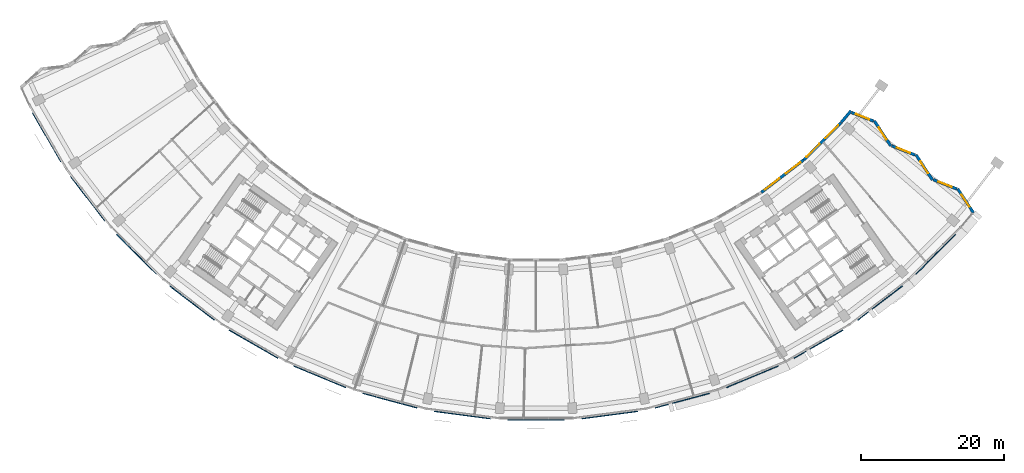
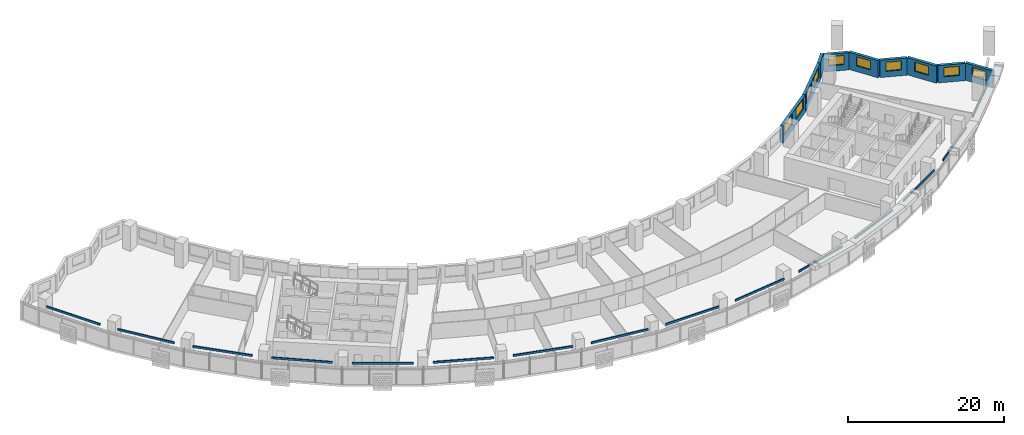
# One storey, part 8 of 29: 15 discrete accessories, 10 windows, 9 walls, 10 openings.
"""IFC4 building model written with IfcOpenShell, lengths in metres."""

from ifc_helpers import new_model, si_unit, direction, frame, frame_2d, origin, origin_2d, place, context, subcontext, project, spatial, rectangle, extrude, material, layer, layer_set, type_object, element, fill, save


model = new_model("IFC4")

# Units and contexts
model_context = context("Model", 3, precision=1e-05, world=origin(), true_north=direction((0.0, 1.0)))
body_context = subcontext(model_context, "Body", "Model", "MODEL_VIEW")
ifc_project = project(units=[si_unit("LENGTHUNIT", "METRE"), si_unit("AREAUNIT", "SQUARE_METRE"), si_unit("VOLUMEUNIT", "CUBIC_METRE"), si_unit("PLANEANGLEUNIT", "RADIAN"), si_unit("MASSUNIT", "GRAM", prefix="KILO")], contexts=[model_context])

# Site, building, storey
site_placement = place(None, origin())
site = spatial("IfcSite", under=ifc_project, at=site_placement, CompositionType="ELEMENT")
building_placement = place(site_placement, origin())
building = spatial("IfcBuilding", under=site, at=building_placement, Name="Qamariyya Broadcast Tower", CompositionType="ELEMENT")
storey_placement = place(building_placement, frame((0.0, 0.0, 121.5)))
storey = spatial("IfcBuildingStorey", under=building, at=storey_placement, Name="L27", CompositionType="ELEMENT", Elevation=121.5)

# Wall, opening, window
ifc_material_1 = material(Name="Terracotta", Category="masonry")
ifc_layer = layer(ifc_material_1, 0.39990234375)
ifc_layer_set = layer_set([ifc_layer], Name="Terracotta clad wall 400")
wall_type = type_object("IfcWallType", Name="Terracotta clad wall 400", PredefinedType="SOLIDWALL", material=ifc_layer_set)
wall_1_placement = place(storey_placement, frame((61.316162109375, -50.192138671875, 0.0), z_axis=(0.0, 0.0, 1.0), x_axis=(-0.547647560594, 0.836709118735, 0.0)))
wall_1 = element("IfcWall", 1, at=wall_1_placement, inside=storey, type_object=wall_type, Name="e-wl-L27-capE0", PredefinedType="SOLIDWALL", context=body_context, shape_type="SweptSolid", body=[
    extrude(rectangle(XDim=4.013427734375, YDim=0.39990234375, at=frame_2d((2.0068359375, 0.0))), origin(), (0.0, 0.0, 1.0), 2.699951171875),
])
opening_1_placement = place(wall_1_placement, frame((1.0068359375, 0.0, 0.89990234375)))
opening_1 = element("IfcOpeningElement", 2, at=opening_1_placement, cuts=wall_1, Name="Opening W4", PredefinedType="OPENING", context=body_context, shape_type="SweptSolid", body=[
    extrude(rectangle(XDim=2.0, YDim=1.425048828125, at=frame_2d((1.0, 0.71240234375))), frame((0.0, 0.2099609375, 0.0), z_axis=(0.0, -1.0, 0.0), x_axis=(1.0, 0.0, 0.0)), (0.0, 0.0, 1.0), 0.419921875),
])
ifc_material_2 = material(Name="Clear low-e double glazed unit in aluminium frame", Category="aluminium")
window_type_1 = type_object("IfcWindowType", Name="Horn bay window 2000 x 1425", PartitioningType="SINGLE_PANEL", PredefinedType="WINDOW", material=ifc_material_2)
window_1_placement = place(opening_1_placement, origin())
window_1 = element("IfcWindow", 3, at=window_1_placement, inside=storey, type_object=window_type_1, Name="e-w-L27-capE0", OverallHeight=1.425048828125, OverallWidth=2.0, PartitioningType="SINGLE_PANEL", PredefinedType="WINDOW", context=body_context, shape_type="SweptSolid", body=[
    extrude(rectangle(XDim=2.0, YDim=1.425048828125, at=frame_2d((1.0, 0.71240234375))), frame((0.0, 0.030029296875, 0.0), z_axis=(0.0, -1.0, 0.0), x_axis=(1.0, 0.0, 0.0)), (0.0, 0.0, 1.0), 0.06005859375),
])
fill(opening_1, window_1)

wall_2_placement = place(storey_placement, frame((58.986328125, -46.853759765625, 0.0), z_axis=(0.0, 0.0, 1.0), x_axis=(-0.930713614454, 0.365748776992, 0.0)))
wall_2 = element("IfcWall", 4, at=wall_2_placement, inside=storey, type_object=wall_type, Name="e-wl-L27-capE1", PredefinedType="SOLIDWALL", context=body_context, shape_type="SweptSolid", body=[
    extrude(rectangle(XDim=3.52587890625, YDim=0.39990234375, at=frame_2d((1.762939453125, 0.0))), origin(), (0.0, 0.0, 1.0), 2.699951171875),
])
opening_2_placement = place(wall_2_placement, frame((0.762939453125, 0.0, 0.89990234375)))
opening_2 = element("IfcOpeningElement", 5, at=opening_2_placement, cuts=wall_2, Name="Opening W4", PredefinedType="OPENING", context=body_context, shape_type="SweptSolid", body=[
    extrude(rectangle(XDim=2.0, YDim=1.425048828125, at=frame_2d((1.0, 0.71240234375))), frame((0.0, 0.2099609375, 0.0), z_axis=(0.0, -1.0, 0.0), x_axis=(1.0, 0.0, 0.0)), (0.0, 0.0, 1.0), 0.419921875),
])
window_2_placement = place(opening_2_placement, origin())
window_2 = element("IfcWindow", 6, at=window_2_placement, inside=storey, type_object=window_type_1, Name="e-w-L27-capE1", OverallHeight=1.425048828125, OverallWidth=2.0, PartitioningType="SINGLE_PANEL", PredefinedType="WINDOW", context=body_context, shape_type="SweptSolid", body=[
    extrude(rectangle(XDim=2.0, YDim=1.425048828125, at=frame_2d((1.0, 0.71240234375))), frame((0.0, 0.030029296875, 0.0), z_axis=(0.0, -1.0, 0.0), x_axis=(1.0, 0.0, 0.0)), (0.0, 0.0, 1.0), 0.06005859375),
])
fill(opening_2, window_2)

wall_3_placement = place(storey_placement, frame((55.5732421875, -45.583984375, 0.0), z_axis=(0.0, 0.0, 1.0), x_axis=(-0.547748100567, 0.836643304118, 0.0)))
wall_3 = element("IfcWall", 7, at=wall_3_placement, inside=storey, type_object=wall_type, Name="e-wl-L27-capE2", PredefinedType="SOLIDWALL", context=body_context, shape_type="SweptSolid", body=[
    extrude(rectangle(XDim=4.193359375, YDim=0.39990234375, at=frame_2d((2.0966796875, 0.0))), origin(), (0.0, 0.0, 1.0), 2.699951171875),
])
opening_3_placement = place(wall_3_placement, frame((1.0966796875, 0.0, 0.89990234375)))
opening_3 = element("IfcOpeningElement", 8, at=opening_3_placement, cuts=wall_3, Name="Opening W4", PredefinedType="OPENING", context=body_context, shape_type="SweptSolid", body=[
    extrude(rectangle(XDim=2.0, YDim=1.425048828125, at=frame_2d((1.0, 0.71240234375))), frame((0.0, 0.2099609375, 0.0), z_axis=(0.0, -1.0, 0.0), x_axis=(1.0, 0.0, 0.0)), (0.0, 0.0, 1.0), 0.419921875),
])
window_3_placement = place(opening_3_placement, origin())
window_3 = element("IfcWindow", 9, at=window_3_placement, inside=storey, type_object=window_type_1, Name="e-w-L27-capE2", OverallHeight=1.425048828125, OverallWidth=2.0, PartitioningType="SINGLE_PANEL", PredefinedType="WINDOW", context=body_context, shape_type="SweptSolid", body=[
    extrude(rectangle(XDim=2.0, YDim=1.425048828125, at=frame_2d((1.0, 0.71240234375))), frame((0.0, 0.030029296875, 0.0), z_axis=(0.0, -1.0, 0.0), x_axis=(1.0, 0.0, 0.0)), (0.0, 0.0, 1.0), 0.06005859375),
])
fill(opening_3, window_3)

wall_4_placement = place(storey_placement, frame((53.144775390625, -42.095458984375, 0.0), z_axis=(0.0, 0.0, 1.0), x_axis=(-0.930756544578, 0.365639514721, 0.0)))
wall_4 = element("IfcWall", 10, at=wall_4_placement, inside=storey, type_object=wall_type, Name="e-wl-L27-capE3", PredefinedType="SOLIDWALL", context=body_context, shape_type="SweptSolid", body=[
    extrude(rectangle(XDim=3.52490234375, YDim=0.39990234375, at=frame_2d((1.762451171875, 0.0))), origin(), (0.0, 0.0, 1.0), 2.699951171875),
])
opening_4_placement = place(wall_4_placement, frame((0.762451171875, 0.0, 0.89990234375)))
opening_4 = element("IfcOpeningElement", 11, at=opening_4_placement, cuts=wall_4, Name="Opening W4", PredefinedType="OPENING", context=body_context, shape_type="SweptSolid", body=[
    extrude(rectangle(XDim=2.0, YDim=1.425048828125, at=frame_2d((1.0, 0.71240234375))), frame((0.0, 0.2099609375, 0.0), z_axis=(0.0, -1.0, 0.0), x_axis=(1.0, 0.0, 0.0)), (0.0, 0.0, 1.0), 0.419921875),
])
window_4_placement = place(opening_4_placement, origin())
window_4 = element("IfcWindow", 12, at=window_4_placement, inside=storey, type_object=window_type_1, Name="e-w-L27-capE3", OverallHeight=1.425048828125, OverallWidth=2.0, PartitioningType="SINGLE_PANEL", PredefinedType="WINDOW", context=body_context, shape_type="SweptSolid", body=[
    extrude(rectangle(XDim=2.0, YDim=1.425048828125, at=frame_2d((1.0, 0.71240234375))), frame((0.0, 0.030029296875, 0.0), z_axis=(0.0, -1.0, 0.0), x_axis=(1.0, 0.0, 0.0)), (0.0, 0.0, 1.0), 0.06005859375),
])
fill(opening_4, window_4)

wall_5_placement = place(storey_placement, frame((49.732421875, -40.826171875, 0.0), z_axis=(0.0, 0.0, 1.0), x_axis=(-0.547831045428, 0.836588994468, 0.0)))
wall_5 = element("IfcWall", 13, at=wall_5_placement, inside=storey, type_object=wall_type, Name="e-wl-L27-capE4", PredefinedType="SOLIDWALL", context=body_context, shape_type="SweptSolid", body=[
    extrude(rectangle(XDim=4.1943359375, YDim=0.39990234375, at=frame_2d((2.09716796875, 0.0))), origin(), (0.0, 0.0, 1.0), 2.699951171875),
])
opening_5_placement = place(wall_5_placement, frame((1.09716796875, 0.0, 0.89990234375)))
opening_5 = element("IfcOpeningElement", 14, at=opening_5_placement, cuts=wall_5, Name="Opening W4", PredefinedType="OPENING", context=body_context, shape_type="SweptSolid", body=[
    extrude(rectangle(XDim=2.0, YDim=1.425048828125, at=frame_2d((1.0, 0.71240234375))), frame((0.0, 0.2099609375, 0.0), z_axis=(0.0, -1.0, 0.0), x_axis=(1.0, 0.0, 0.0)), (0.0, 0.0, 1.0), 0.419921875),
])
window_5_placement = place(opening_5_placement, origin())
window_5 = element("IfcWindow", 15, at=window_5_placement, inside=storey, type_object=window_type_1, Name="e-w-L27-capE4", OverallHeight=1.425048828125, OverallWidth=2.0, PartitioningType="SINGLE_PANEL", PredefinedType="WINDOW", context=body_context, shape_type="SweptSolid", body=[
    extrude(rectangle(XDim=2.0, YDim=1.425048828125, at=frame_2d((1.0, 0.71240234375))), frame((0.0, 0.030029296875, 0.0), z_axis=(0.0, -1.0, 0.0), x_axis=(1.0, 0.0, 0.0)), (0.0, 0.0, 1.0), 0.06005859375),
])
fill(opening_5, window_5)

wall_6_placement = place(storey_placement, frame((47.302978515625, -37.3369140625, 0.0), z_axis=(0.0, 0.0, 1.0), x_axis=(-0.930776857366, 0.365587803122, 0.0)))
wall_6 = element("IfcWall", 16, at=wall_6_placement, inside=storey, type_object=wall_type, Name="e-wl-L27-capE5", PredefinedType="SOLIDWALL", context=body_context, shape_type="SweptSolid", body=[
    extrude(rectangle(XDim=3.275634765625, YDim=0.39990234375, at=frame_2d((1.6376953125, 0.0))), origin(), (0.0, 0.0, 1.0), 2.699951171875),
])
opening_6_placement = place(wall_6_placement, frame((0.6376953125, 0.0, 0.89990234375)))
opening_6 = element("IfcOpeningElement", 17, at=opening_6_placement, cuts=wall_6, Name="Opening W4", PredefinedType="OPENING", context=body_context, shape_type="SweptSolid", body=[
    extrude(rectangle(XDim=2.0, YDim=1.425048828125, at=frame_2d((1.0, 0.71240234375))), frame((0.0, 0.2099609375, 0.0), z_axis=(0.0, -1.0, 0.0), x_axis=(1.0, 0.0, 0.0)), (0.0, 0.0, 1.0), 0.419921875),
])
window_6_placement = place(opening_6_placement, origin())
window_6 = element("IfcWindow", 18, at=window_6_placement, inside=storey, type_object=window_type_1, Name="e-w-L27-capE5", OverallHeight=1.425048828125, OverallWidth=2.0, PartitioningType="SINGLE_PANEL", PredefinedType="WINDOW", context=body_context, shape_type="SweptSolid", body=[
    extrude(rectangle(XDim=2.0, YDim=1.425048828125, at=frame_2d((1.0, 0.71240234375))), frame((0.0, 0.030029296875, 0.0), z_axis=(0.0, -1.0, 0.0), x_axis=(1.0, 0.0, 0.0)), (0.0, 0.0, 1.0), 0.06005859375),
])
fill(opening_6, window_6)

# Wall, openings, windows
wall_7_placement = place(storey_placement, frame((37.536865234375, -42.764892578125, 0.0), z_axis=(0.0, 0.0, 1.0), x_axis=(-0.793363487476, -0.608748204711, 0.0)))
wall_7 = element("IfcWall", 19, at=wall_7_placement, inside=storey, type_object=wall_type, Name="e-wl-L27-in140", PredefinedType="SOLIDWALL", context=body_context, shape_type="SweptSolid", body=[
    extrude(rectangle(XDim=7.492919921875, YDim=0.39990234375, at=frame_2d((3.74658203125, 0.0))), origin(), (0.0, 0.0, 1.0), 2.699951171875),
])
opening_7_placement = place(wall_7_placement, frame((4.300537109375, 0.0, 0.89990234375)))
opening_7 = element("IfcOpeningElement", 20, at=opening_7_placement, cuts=wall_7, Name="Opening W1", PredefinedType="OPENING", context=body_context, shape_type="SweptSolid", body=[
    extrude(rectangle(XDim=2.60009765625, YDim=1.64990234375, at=frame_2d((1.300048828125, 0.824951171875))), frame((0.0, 0.2099609375, 0.0), z_axis=(0.0, -1.0, 0.0), x_axis=(1.0, 0.0, 0.0)), (0.0, 0.0, 1.0), 0.419921875),
])
opening_8_placement = place(wall_7_placement, frame((0.59228515625, 0.0, 0.89990234375)))
opening_8 = element("IfcOpeningElement", 21, at=opening_8_placement, cuts=wall_7, Name="Opening W1", PredefinedType="OPENING", context=body_context, shape_type="SweptSolid", body=[
    extrude(rectangle(XDim=2.60009765625, YDim=1.64990234375, at=frame_2d((1.300048828125, 0.824951171875))), frame((0.0, 0.2099609375, 0.0), z_axis=(0.0, -1.0, 0.0), x_axis=(1.0, 0.0, 0.0)), (0.0, 0.0, 1.0), 0.419921875),
])
window_type_2 = type_object("IfcWindowType", Name="Ribbon window 2600 x 1650", PartitioningType="SINGLE_PANEL", PredefinedType="WINDOW", material=ifc_material_2)
window_7_placement = place(opening_7_placement, origin())
window_7 = element("IfcWindow", 22, at=window_7_placement, inside=storey, type_object=window_type_2, Name="e-w-L27-in14-0", OverallHeight=1.64990234375, OverallWidth=2.60009765625, PartitioningType="SINGLE_PANEL", PredefinedType="WINDOW", context=body_context, shape_type="SweptSolid", body=[
    extrude(rectangle(XDim=2.60009765625, YDim=1.64990234375, at=frame_2d((1.300048828125, 0.824951171875))), frame((0.0, 0.030029296875, 0.0), z_axis=(0.0, -1.0, 0.0), x_axis=(1.0, 0.0, 0.0)), (0.0, 0.0, 1.0), 0.06005859375),
])
fill(opening_7, window_7)
window_8_placement = place(opening_8_placement, origin())
window_8 = element("IfcWindow", 23, at=window_8_placement, inside=storey, type_object=window_type_2, Name="e-w-L27-in14-1", OverallHeight=1.64990234375, OverallWidth=2.60009765625, PartitioningType="SINGLE_PANEL", PredefinedType="WINDOW", context=body_context, shape_type="SweptSolid", body=[
    extrude(rectangle(XDim=2.60009765625, YDim=1.64990234375, at=frame_2d((1.300048828125, 0.824951171875))), frame((0.0, 0.030029296875, 0.0), z_axis=(0.0, -1.0, 0.0), x_axis=(1.0, 0.0, 0.0)), (0.0, 0.0, 1.0), 0.06005859375),
])
fill(opening_8, window_8)

wall_8_placement = place(storey_placement, frame((42.75439453125, -37.542724609375, 0.0), z_axis=(0.0, 0.0, 1.0), x_axis=(-0.707106781187, -0.707106781187, 0.0)))
wall_8 = element("IfcWall", 24, at=wall_8_placement, inside=storey, type_object=wall_type, Name="e-wl-L27-in150", PredefinedType="SOLIDWALL", context=body_context, shape_type="SweptSolid", body=[
    extrude(rectangle(XDim=7.35595703125, YDim=0.39990234375, at=frame_2d((3.677978515625, 0.0))), origin(), (0.0, 0.0, 1.0), 2.699951171875),
])
opening_9_placement = place(wall_8_placement, frame((4.2392578125, 0.0, 0.89990234375)))
opening_9 = element("IfcOpeningElement", 25, at=opening_9_placement, cuts=wall_8, Name="Opening W1", PredefinedType="OPENING", context=body_context, shape_type="SweptSolid", body=[
    extrude(rectangle(XDim=2.60009765625, YDim=1.64990234375, at=frame_2d((1.300048828125, 0.824951171875))), frame((0.0, 0.2099609375, 0.0), z_axis=(0.0, -1.0, 0.0), x_axis=(1.0, 0.0, 0.0)), (0.0, 0.0, 1.0), 0.419921875),
])
opening_10_placement = place(wall_8_placement, frame((0.531005859375, 0.0, 0.89990234375)))
opening_10 = element("IfcOpeningElement", 26, at=opening_10_placement, cuts=wall_8, Name="Opening W1", PredefinedType="OPENING", context=body_context, shape_type="SweptSolid", body=[
    extrude(rectangle(XDim=2.60009765625, YDim=1.64990234375, at=frame_2d((1.300048828125, 0.824951171875))), frame((0.0, 0.2099609375, 0.0), z_axis=(0.0, -1.0, 0.0), x_axis=(1.0, 0.0, 0.0)), (0.0, 0.0, 1.0), 0.419921875),
])
window_9_placement = place(opening_9_placement, origin())
window_9 = element("IfcWindow", 27, at=window_9_placement, inside=storey, type_object=window_type_2, Name="e-w-L27-in15-0", OverallHeight=1.64990234375, OverallWidth=2.60009765625, PartitioningType="SINGLE_PANEL", PredefinedType="WINDOW", context=body_context, shape_type="SweptSolid", body=[
    extrude(rectangle(XDim=2.60009765625, YDim=1.64990234375, at=frame_2d((1.300048828125, 0.824951171875))), frame((0.0, 0.030029296875, 0.0), z_axis=(0.0, -1.0, 0.0), x_axis=(1.0, 0.0, 0.0)), (0.0, 0.0, 1.0), 0.06005859375),
])
fill(opening_9, window_9)
window_10_placement = place(opening_10_placement, origin())
window_10 = element("IfcWindow", 28, at=window_10_placement, inside=storey, type_object=window_type_2, Name="e-w-L27-in15-1", OverallHeight=1.64990234375, OverallWidth=2.60009765625, PartitioningType="SINGLE_PANEL", PredefinedType="WINDOW", context=body_context, shape_type="SweptSolid", body=[
    extrude(rectangle(XDim=2.60009765625, YDim=1.64990234375, at=frame_2d((1.300048828125, 0.824951171875))), frame((0.0, 0.030029296875, 0.0), z_axis=(0.0, -1.0, 0.0), x_axis=(1.0, 0.0, 0.0)), (0.0, 0.0, 1.0), 0.06005859375),
])
fill(opening_10, window_10)

# Wall
wall_9_placement = place(storey_placement, frame((44.14404296875, -35.90283203125, 0.0), z_axis=(0.0, 0.0, 1.0), x_axis=(-0.645516295963, -0.763746496978, 0.0)))
element("IfcWall", 29, at=wall_9_placement, inside=storey, type_object=wall_type, Name="e-wl-L27-in160", PredefinedType="SOLIDWALL", context=body_context, shape_type="SweptSolid", body=[
    extrude(rectangle(XDim=2.133056640625, YDim=0.39990234375, at=frame_2d((1.06640625, 0.0))), origin(), (0.0, 0.0, 1.0), 2.699951171875),
])

# Discrete accessories
ifc_material_3 = material(Name="Stainless steel 316", Category="steel")
discrete_accessory_type = type_object("IfcDiscreteAccessoryType", Name="Slab edge fixing angle, stainless steel", PredefinedType="BRACKET", material=ifc_material_3)
for number, where, z_axis, x_axis, name in (
    (30, (-68.59375, -39.6025390625, 3.2998046875), (0.0, 0.0, 1.0), (0.5, -0.866025403784, 0.0), "e-br-L27-01-0"),
    (31, (-62.837646484375, -48.217041015625, 3.2998046875), (0.0, 0.0, 1.0), (0.608761429009, -0.793353340291, 0.0), "e-br-L27-02-0"),
    (32, (-56.006591796875, -56.006591796875, 3.2998046875), (0.0, 0.0, 1.0), (0.707106781187, -0.707106781187, 0.0), "e-br-L27-03-0"),
    (33, (-48.217041015625, -62.837646484375, 3.2998046875), (0.0, 0.0, 1.0), (0.793353340291, -0.608761429009, 0.0), "e-br-L27-04-0"),
    (34, (-39.6025390625, -68.59375, 3.2998046875), (0.0, 0.0, 1.0), (0.866025403784, -0.5, 0.0), "e-br-L27-05-0"),
    (35, (-30.310546875, -73.176025390625, 3.2998046875), (0.0, 0.0, 1.0), (0.923879532511, -0.382683432365, 0.0), "e-br-L27-06-0"),
    (36, (-20.499755859375, -76.50634765625, 3.2998046875), (0.0, 0.0, 1.0), (0.965925826289, -0.258819045103, 0.0), "e-br-L27-07-0"),
    (37, (-10.33837890625, -78.527587890625, 3.2998046875), (0.0, 0.0, 1.0), (0.991444861374, -0.13052619222, 0.0), "e-br-L27-08-0"),
    (38, (0.0, -79.205322265625, 3.2998046875), (0.0, 0.0, 1.0), (1.0, 0.0, 0.0), "e-br-L27-09-0"),
    (39, (10.33837890625, -78.527587890625, 3.2998046875), (0.0, 0.0, 1.0), (0.991444861374, 0.13052619222, 0.0), "e-br-L27-10-0"),
    (40, (20.499755859375, -76.50634765625, 3.2998046875), (0.0, 0.0, 1.0), (0.965925826289, 0.258819045103, 0.0), "e-br-L27-11-0"),
    (41, (30.310546875, -73.176025390625, 3.2998046875), (0.0, 0.0, 1.0), (0.923879532511, 0.382683432365, 0.0), "e-br-L27-12-0"),
    (42, (39.6025390625, -68.59375, 3.2998046875), (0.0, 0.0, 1.0), (0.866025403784, 0.5, 0.0), "e-br-L27-13-0"),
    (43, (48.217041015625, -62.837646484375, 3.2998046875), (0.0, 0.0, 1.0), (0.793353340291, 0.608761429009, 0.0), "e-br-L27-14-0"),
    (44, (56.006591796875, -56.006591796875, 3.2998046875), (0.0, 0.0, 1.0), (0.707106781187, 0.707106781187, 0.0), "e-br-L27-15-0"),
):
    element("IfcDiscreteAccessory", number, at=place(storey_placement, frame(where, z_axis=z_axis, x_axis=x_axis)), inside=storey, type_object=discrete_accessory_type, Name=name, PredefinedType="BRACKET", context=body_context, shape_type="SweptSolid", body=[
        extrude(rectangle(XDim=7.879638671875, YDim=0.14990234375, at=origin_2d()), origin(), (0.0, 0.0, 1.0), 0.300048828125),
    ])

save(model, "model.ifc")
